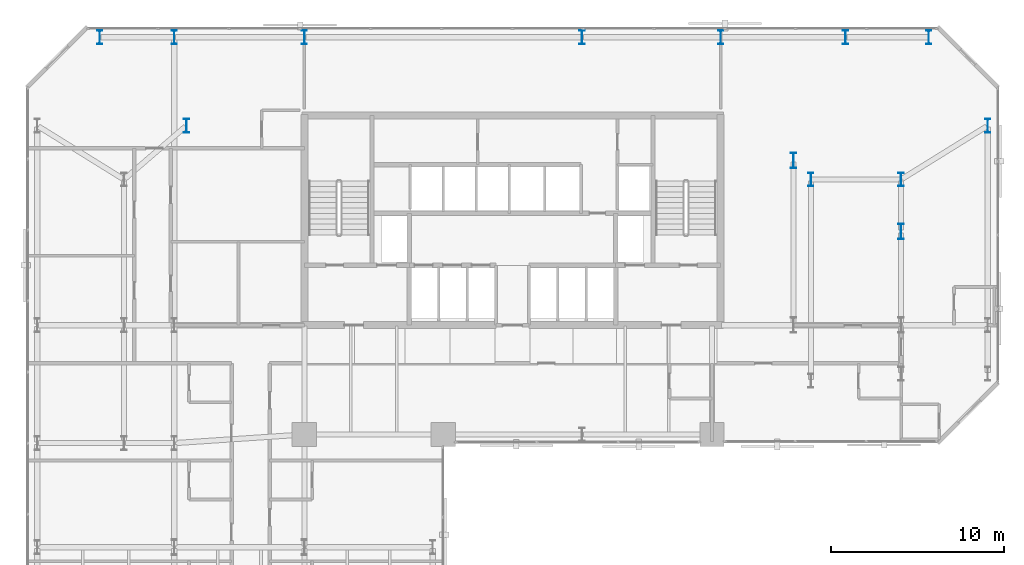
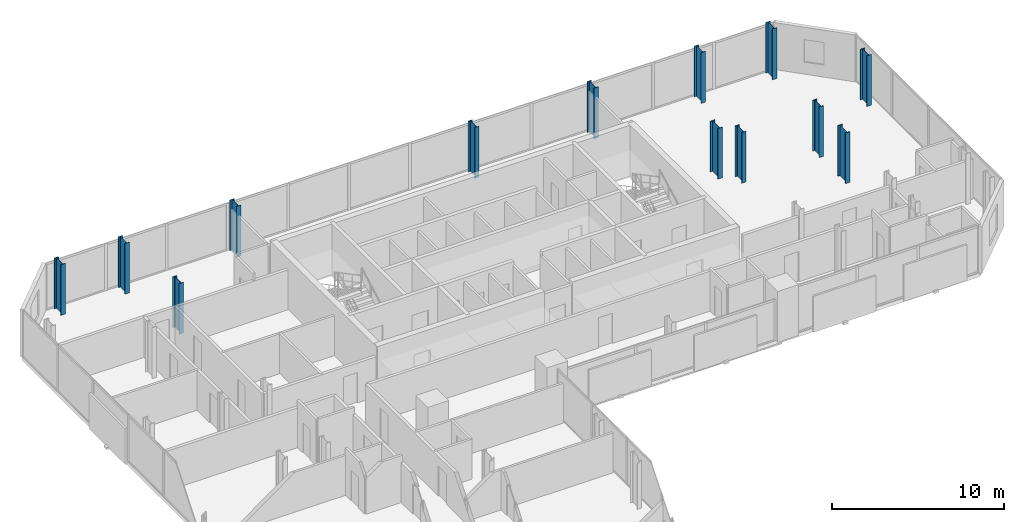
# One storey, part 2 of 32: 13 columns.
"""IFC4 building model written with IfcOpenShell, lengths in metres."""

import ifcopenshell
import ifcopenshell.guid

model = None  # the IFC model being written
_history = None  # IfcOwnerHistory: only IFC2X3 demands one
_inside = {}  # id of a spatial element -> (the spatial element, [elements in it])
_under = {}  # id of a project, library or spatial element -> (it, [spatial elements below it])
_declared = {}  # id of a project -> (the project, [libraries it declares])
_typed = {}  # id of a type object -> (the type object, [elements of that type])
_made_of = {}  # id of a material, layer set ... -> (it, [elements and type objects made of it])


def new_model(schema):
    """Start an empty IFC model of exactly this schema.

    Asked for "IFC4X3", IfcOpenShell would pick the latest addendum, in which some entities
    have other attributes; the version numbers below select the first issue.
    IFC2X3 requires an IfcOwnerHistory on every rooted entity: one is made here for all.
    """
    global model, _history
    if schema == "IFC4X3":
        model = ifcopenshell.file(schema_version=(4, 3, 0, 0))
    else:
        model = ifcopenshell.file(schema=schema)
    _inside.clear()
    _under.clear()
    _declared.clear()
    _typed.clear()
    _made_of.clear()
    _history = None
    if model.schema == "IFC2X3":
        org = make("IfcOrganization", Name="unknown")
        user = make(
            "IfcPersonAndOrganization",
            ThePerson=make("IfcPerson", FamilyName="unknown"),
            TheOrganization=org,
        )
        app = make(
            "IfcApplication",
            ApplicationDeveloper=org,
            Version="unknown",
            ApplicationFullName="unknown",
            ApplicationIdentifier="unknown",
        )
        _history = make(
            "IfcOwnerHistory",
            OwningUser=user,
            OwningApplication=app,
            ChangeAction="ADDED",
            CreationDate=0,
        )
    return model


def make(cls, **values):
    """One entity of the class cls with the attributes given. An attribute that is None is left unset."""
    return model.create_entity(
        cls, **{name: value for name, value in values.items() if value is not None}
    )


def rooted(cls, **values):
    """An entity with a GlobalId (a new one), such as an element, a storey or a relation."""
    return make(cls, GlobalId=ifcopenshell.guid.new(), OwnerHistory=_history, **values)


def si_unit(unit_type, name, prefix=None):
    """IfcSIUnit, for example si_unit("LENGTHUNIT", "METRE", prefix="MILLI")."""
    return make("IfcSIUnit", UnitType=unit_type, Prefix=prefix, Name=name)


def assignment(units):
    """IfcUnitAssignment: the units of a project."""
    return None if units is None else make("IfcUnitAssignment", Units=units)


def point(xyz):
    """IfcCartesianPoint."""
    return None if xyz is None else make("IfcCartesianPoint", Coordinates=xyz)


def direction(xyz):
    """IfcDirection."""
    return None if xyz is None else make("IfcDirection", DirectionRatios=xyz)


def frame(location, z_axis=None, x_axis=None):
    """IfcAxis2Placement3D, a coordinate frame: its origin and axes. An axis left out is left unset."""
    return make(
        "IfcAxis2Placement3D",
        Location=point(location),
        Axis=direction(z_axis),
        RefDirection=direction(x_axis),
    )


def frame_2d(location, x_axis=None):
    """IfcAxis2Placement2D, a coordinate frame in the plane: its origin and x axis."""
    return make(
        "IfcAxis2Placement2D", Location=point(location), RefDirection=direction(x_axis)
    )


def origin():
    """The frame at (0, 0, 0) with its axes left unset."""
    return frame((0.0, 0.0, 0.0))


def origin_2d():
    """The frame at (0, 0) in the plane with its x axis left unset."""
    return frame_2d((0.0, 0.0))


def place(relative_to, where):
    """IfcLocalPlacement: puts the frame where relative to a parent placement (None: the world)."""
    return make(
        "IfcLocalPlacement", PlacementRelTo=relative_to, RelativePlacement=where
    )


def context(
    kind, dimensions, precision=None, world=None, true_north=None, identifier=None
):
    """IfcGeometricRepresentationContext, for example the 3D "Model" context."""
    return make(
        "IfcGeometricRepresentationContext",
        ContextIdentifier=identifier,
        ContextType=kind,
        CoordinateSpaceDimension=dimensions,
        Precision=precision,
        WorldCoordinateSystem=world,
        TrueNorth=true_north,
    )


def subcontext(parent, identifier, kind, view, scale=None):
    """IfcGeometricRepresentationSubContext, for example "Body" below "Model"."""
    return make(
        "IfcGeometricRepresentationSubContext",
        ContextIdentifier=identifier,
        ContextType=kind,
        ParentContext=parent,
        TargetScale=scale,
        TargetView=view,
    )


def project(units=None, contexts=None):
    """IfcProject with its units and contexts."""
    return rooted(
        "IfcProject",
        Name="project",
        RepresentationContexts=contexts,
        UnitsInContext=assignment(units),
    )


def spatial(cls, under=None, at=None, **own):
    """A site, building, storey or space (cls), placed at a placement, below another one or the project."""
    s = rooted(cls, ObjectPlacement=at, **own)
    if under is not None:
        _under.setdefault(under.id(), (under, []))[1].append(s)
    return s


def profile(cls, at=None, kind="AREA", **sizes):
    """A parametric profile (cls). Its sizes go by their IFC names, for example OverallWidth=200.0."""
    return make(cls, ProfileType=kind, Position=at, **sizes)


def i_section(**sizes):
    """IfcIShapeProfileDef."""
    return profile("IfcIShapeProfileDef", **sizes)


def extrude(swept, where, along, depth):
    """IfcExtrudedAreaSolid: the profile swept, set in the frame where, extruded along a direction by depth."""
    return make(
        "IfcExtrudedAreaSolid",
        SweptArea=swept,
        Position=where,
        ExtrudedDirection=direction(along),
        Depth=depth,
    )


def shape(context_of_items, identifier, shape_type, items):
    """IfcShapeRepresentation: the items that make up one representation, for example the "Body"."""
    return make(
        "IfcShapeRepresentation",
        ContextOfItems=context_of_items,
        RepresentationIdentifier=identifier,
        RepresentationType=shape_type,
        Items=items,
    )


def material(Name=None, Category=None):
    """IfcMaterial."""
    return make("IfcMaterial", Name=Name, Category=Category)


def material_profile(
    of_material, cross_section, Name=None, Category=None, Priority=None
):
    """IfcMaterialProfile: a cross section and its material."""
    return make(
        "IfcMaterialProfile",
        Name=Name,
        Material=of_material,
        Profile=cross_section,
        Priority=Priority,
        Category=Category,
    )


def profile_set(profiles, Name=None, composite=None):
    """IfcMaterialProfileSet."""
    return make(
        "IfcMaterialProfileSet",
        Name=Name,
        MaterialProfiles=profiles,
        CompositeProfile=composite,
    )


def made_of(thing, what):
    """Note that an element or type object is made of a material, layer set ...; save() writes the relation."""
    if what is not None:
        _made_of.setdefault(what.id(), (what, []))[1].append(thing)
    return thing


def type_object(cls, material=None, **own):
    """A type object (cls), such as IfcWallType, which elements share."""
    return made_of(rooted(cls, **own), material)


def element(
    cls,
    number,
    at=None,
    inside=None,
    cuts=None,
    type_object=None,
    material=None,
    context=None,
    identifier="Body",
    shape_type=None,
    held_by="IfcProductDefinitionShape",
    body=None,
    shapes=None,
    **own,
):
    """One element of the class cls, such as IfcWall. Its Tag is "e" and its number.

    at: its placement. inside: the storey or other place that contains it. cuts: it is an
    opening in that element (IfcRelVoidsElement). A single representation is given by context,
    identifier, shape_type and body (its items); several are given by shapes. held_by: the class
    of the entity that holds the representations. save() writes the other relations.
    """
    e = rooted(cls, Tag="e%d" % number, ObjectPlacement=at, **own)
    if body is not None:
        shapes = [shape(context, identifier, shape_type, body)]
    if shapes is not None:
        e.Representation = make(held_by, Representations=shapes)
    if inside is not None:
        _inside.setdefault(inside.id(), (inside, []))[1].append(e)
    if cuts is not None:
        rooted(
            "IfcRelVoidsElement", RelatingBuildingElement=cuts, RelatedOpeningElement=e
        )
    if type_object is not None:
        _typed.setdefault(type_object.id(), (type_object, []))[1].append(e)
    return made_of(e, material)


def aggregate(whole, parts):
    """IfcRelAggregates: a whole, such as a stair, and the parts it consists of."""
    return rooted("IfcRelAggregates", RelatingObject=whole, RelatedObjects=parts)


def save(model, path):
    """Write the relations noted so far, then the file.

    IfcRelAggregates (storeys below a building ...), IfcRelContainedInSpatialStructure (elements
    in a storey), IfcRelDefinesByType, IfcRelAssociatesMaterial and IfcRelDeclares: one each for
    every whole, place, type object, material and project.
    """
    for whole, parts in _under.values():
        aggregate(whole, parts)
    for where, things in _inside.values():
        rooted(
            "IfcRelContainedInSpatialStructure",
            RelatedElements=things,
            RelatingStructure=where,
        )
    for kind, things in _typed.values():
        rooted("IfcRelDefinesByType", RelatedObjects=things, RelatingType=kind)
    for what, things in _made_of.values():
        rooted("IfcRelAssociatesMaterial", RelatedObjects=things, RelatingMaterial=what)
    for by, libraries in _declared.values():
        rooted("IfcRelDeclares", RelatingContext=by, RelatedDefinitions=libraries)
    model.write(path)


model = new_model("IFC4")

# Units and contexts
model_context = context("Model", 3, precision=1e-05, world=origin(), true_north=direction((0.0, 1.0)))
body_context = subcontext(model_context, "Body", "Model", "MODEL_VIEW")
ifc_project = project(units=[si_unit("LENGTHUNIT", "METRE"), si_unit("AREAUNIT", "SQUARE_METRE"), si_unit("VOLUMEUNIT", "CUBIC_METRE"), si_unit("PLANEANGLEUNIT", "RADIAN"), si_unit("MASSUNIT", "GRAM", prefix="KILO")], contexts=[model_context])

# Site, building, storey
site_placement = place(None, origin())
site = spatial("IfcSite", under=ifc_project, at=site_placement, CompositionType="ELEMENT")
building_placement = place(site_placement, origin())
building = spatial("IfcBuilding", under=site, at=building_placement, Name="Catumbela Crestline Tower", CompositionType="ELEMENT")
storey_placement = place(building_placement, frame((0.0, 0.0, 69.0)))
storey = spatial("IfcBuildingStorey", under=building, at=storey_placement, Name="L17", CompositionType="ELEMENT", Elevation=69.0)

# Columns
ifc_material = material(Name="Structural steel S460M", Category="steel")
ifc_material_profile_1 = material_profile(ifc_material, i_section(OverallWidth=0.3, OverallDepth=0.8, WebThickness=0.0175, FlangeThickness=0.033, FilletRadius=0.03, at=origin_2d()), Name="HEB 800")
ifc_profile_set_1 = profile_set([ifc_material_profile_1], Name="Structural steel S460M")
column_type_1 = type_object("IfcColumnType", Name="C-ST-HEB800", PredefinedType="COLUMN", material=ifc_profile_set_1)
for number, where, z_axis, x_axis, name in (
    (1, (9.2, 42.3, 0.0), (0.0, 0.0, 1.0), (1.0, 0.0, 0.0), "L17 Column C-08-43 (HEB 800)"),
    (2, (45.2, 39.2, 0.0), (0.0, 0.0, 1.0), (1.0, 0.0, 0.0), "L17 Column C-46-43 (HEB 800)"),
    (3, (4.2, 47.4, 0.0), (0.0, 0.0, 1.0), (1.0, 0.0, 0.0), "L17 Column C-00-48 (HEB 800)"),
    (4, (8.5, 47.4, 0.0), (0.0, 0.0, 1.0), (1.0, 0.0, 0.0), "L17 Column C-08-48 (HEB 800)"),
    (5, (16.0, 47.4, 0.0), (0.0, 0.0, 1.0), (1.0, 0.0, 0.0), "L17 Column C-16-48 (HEB 800)"),
    (6, (32.0, 47.4, 0.0), (0.0, 0.0, 1.0), (1.0, 0.0, 0.0), "L17 Column C-32-48 (HEB 800)"),
    (7, (40.0, 47.4, 0.0), (0.0, 0.0, 1.0), (1.0, 0.0, 0.0), "L17 Column C-40-48 (HEB 800)"),
    (8, (47.2, 47.4, 0.0), (0.0, 0.0, 1.0), (1.0, 0.0, 0.0), "L17 Column C-48-48 (HEB 800)"),
    (9, (50.4, 39.2, 0.0), (0.0, 0.0, 1.0), (1.0, 0.0, 0.0), "L17 Column C-51-43 (HEB 800)"),
    (10, (55.4, 42.3, 0.0), (0.0, 0.0, 1.0), (1.0, 0.0, 0.0), "L17 Column C-56-43 (HEB 800)"),
    (11, (52.0, 47.4, 0.0), (0.0, 0.0, 1.0), (1.0, 0.0, 0.0), "L17 Column C-56-48 (HEB 800)"),
):
    element("IfcColumn", number, at=place(storey_placement, frame(where, z_axis=z_axis, x_axis=x_axis)), inside=storey, type_object=column_type_1, Name=name, PredefinedType="COLUMN", context=body_context, shape_type="SweptSolid", body=[
        extrude(i_section(OverallWidth=0.3, OverallDepth=0.8, WebThickness=0.0175, FlangeThickness=0.033, FilletRadius=0.03, at=origin_2d()), origin(), (0.0, 0.0, 1.0), 3.6),
    ])
ifc_material_profile_2 = material_profile(ifc_material, i_section(OverallWidth=0.3, OverallDepth=0.9, WebThickness=0.0185, FlangeThickness=0.035, FilletRadius=0.03, at=origin_2d()), Name="HEB 900")
ifc_profile_set_2 = profile_set([ifc_material_profile_2], Name="Structural steel S460M")
column_type_2 = type_object("IfcColumnType", Name="C-ST-HEB900", PredefinedType="COLUMN", material=ifc_profile_set_2)
for number, where, z_axis, x_axis, name in (
    (12, (44.2, 40.3, 0.0), (0.0, 0.0, 1.0), (1.0, 0.0, 0.0), "L17 Column CT-46-37 (HEB 900)"),
    (13, (50.4, 36.2, 0.0), (0.0, 0.0, 1.0), (1.0, 0.0, 0.0), "L17 Column CT-51-37 (HEB 900)"),
):
    element("IfcColumn", number, at=place(storey_placement, frame(where, z_axis=z_axis, x_axis=x_axis)), inside=storey, type_object=column_type_2, Name=name, PredefinedType="COLUMN", context=body_context, shape_type="SweptSolid", body=[
        extrude(i_section(OverallWidth=0.3, OverallDepth=0.9, WebThickness=0.0185, FlangeThickness=0.035, FilletRadius=0.03, at=origin_2d()), origin(), (0.0, 0.0, 1.0), 3.6),
    ])

save(model, "model.ifc")
